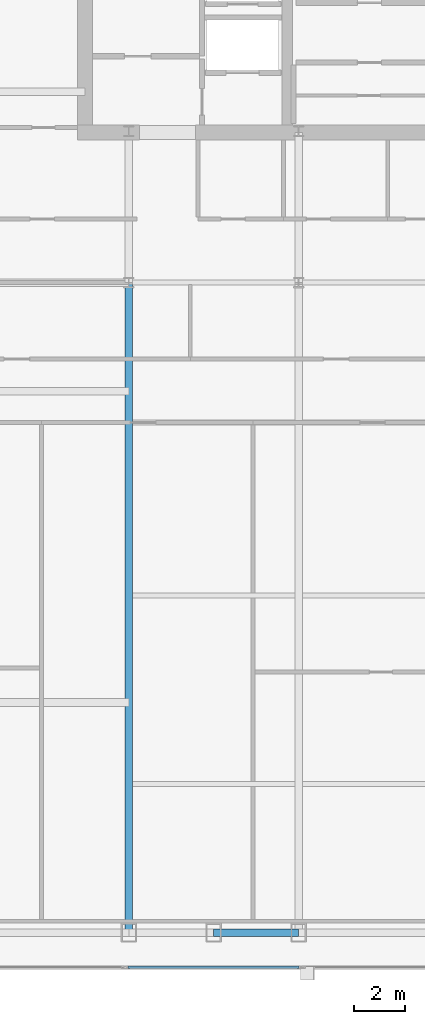
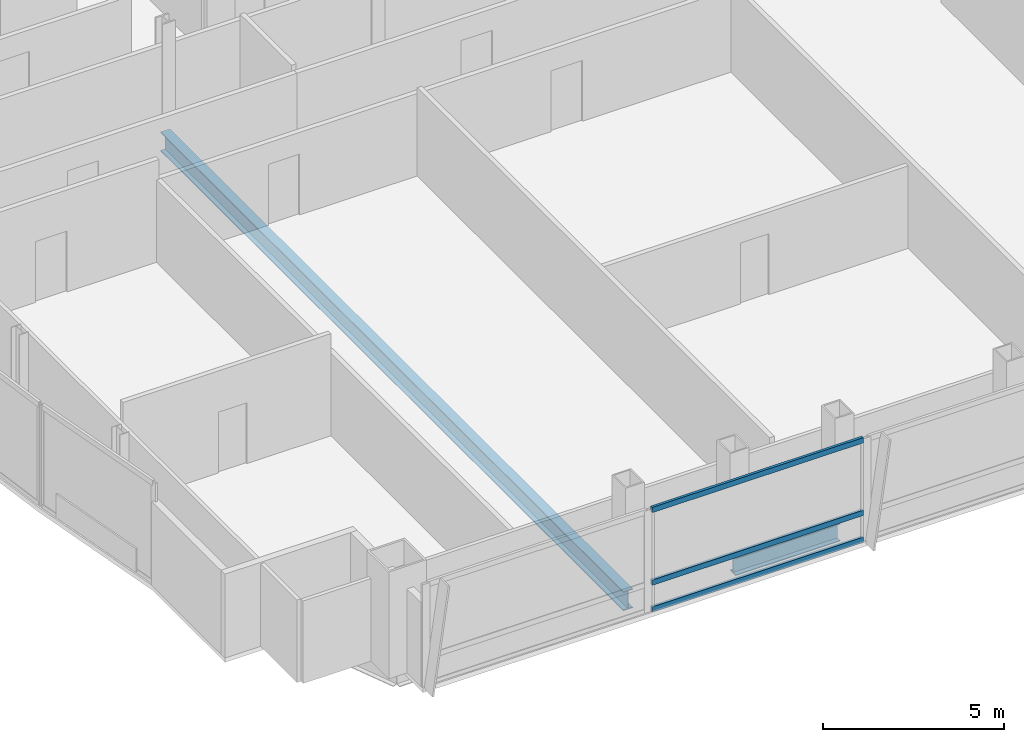
# One storey, part 7 of 30: 3 members, 2 beams, 1 element without a shape of its own.
"""IFC4 building model written with IfcOpenShell, lengths in metres."""

from ifc_helpers import new_model, si_unit, direction, frame, origin, origin_2d, place, context, subcontext, project, spatial, hollow_rectangle, i_section, extrude, material, material_profile, profile_set, type_object, element, aggregate, save


model = new_model("IFC4")

# Units and contexts
model_context = context("Model", 3, precision=1e-05, world=origin(), true_north=direction((0.0, 1.0)))
body_context = subcontext(model_context, "Body", "Model", "MODEL_VIEW")
ifc_project = project(units=[si_unit("LENGTHUNIT", "METRE"), si_unit("AREAUNIT", "SQUARE_METRE"), si_unit("VOLUMEUNIT", "CUBIC_METRE"), si_unit("PLANEANGLEUNIT", "RADIAN"), si_unit("MASSUNIT", "GRAM", prefix="KILO")], contexts=[model_context])

# Site, building, storey
site_placement = place(None, origin())
site = spatial("IfcSite", under=ifc_project, at=site_placement, CompositionType="ELEMENT")
building_placement = place(site_placement, origin())
building = spatial("IfcBuilding", under=site, at=building_placement, Name="Khoronbel Lancet Exchange", CompositionType="ELEMENT")
storey_placement = place(building_placement, frame((0.0, 0.0, 224.60009765625)))
storey = spatial("IfcBuildingStorey", under=building, at=storey_placement, Name="L57", CompositionType="ELEMENT", Elevation=224.60009765625)

# Beams
ifc_material_1 = material(Name="Steel S355", Category="steel")
ifc_material_profile_1 = material_profile(ifc_material_1, i_section(OverallWidth=0.300048828125, OverallDepth=0.64990234375, WebThickness=0.01611328125, FlangeThickness=0.031005859375, at=origin_2d()), Name="HEB 650")
ifc_profile_set_1 = profile_set([ifc_material_profile_1], Name="Steel S355")
beam_type_1 = type_object("IfcBeamType", Name="BM-BG4", PredefinedType="BEAM", material=ifc_profile_set_1)
beam_1_placement = place(storey_placement, frame((18.22509765625, 10.14990234375, -0.485107421875), z_axis=(0.0, 1.0, 0.0), x_axis=(-1.0, 0.0, 0.0)))
element("IfcBeam", 1, at=beam_1_placement, inside=storey, type_object=beam_type_1, Name="Level L57 south primary girder GS1", PredefinedType="BEAM", context=body_context, shape_type="SweptSolid", body=[
    extrude(i_section(OverallWidth=0.300048828125, OverallDepth=0.64990234375, WebThickness=0.01611328125, FlangeThickness=0.031005859375, at=origin_2d()), origin(), (0.0, 0.0, 1.0), 25.550048828125),
])
ifc_material_profile_2 = material_profile(ifc_material_1, i_section(OverallWidth=0.300048828125, OverallDepth=0.60009765625, WebThickness=0.015380859375, FlangeThickness=0.030029296875, at=origin_2d()), Name="HEB 600")
ifc_profile_set_2 = profile_set([ifc_material_profile_2], Name="Steel S355")
beam_type_2 = type_object("IfcBeamType", Name="BM-BSP2", PredefinedType="SPANDREL", material=ifc_profile_set_2)
beam_2_placement = place(storey_placement, frame((21.5625, 10.14990234375, -0.460205078125), z_axis=(1.0, 0.0, 0.0), x_axis=(0.0, 1.0, 0.0)))
element("IfcBeam", 2, at=beam_2_placement, inside=storey, type_object=beam_type_2, Name="Level L57 perimeter spandrel beam SP03", PredefinedType="SPANDREL", context=body_context, shape_type="SweptSolid", body=[
    extrude(i_section(OverallWidth=0.300048828125, OverallDepth=0.60009765625, WebThickness=0.015380859375, FlangeThickness=0.030029296875, at=origin_2d()), origin(), (0.0, 0.0, 1.0), 3.33740234375),
])

# Curtain wall, members
ifc_material_2 = material(Name="Low-E Solar Control Insulating Glass", Category="glass")
curtain_wall_type = type_object("IfcCurtainWallType", Name="CW-3", PredefinedType="NOTDEFINED", material=ifc_material_2)
curtain_wall_placement = place(storey_placement, origin())
curtain_wall = element("IfcCurtainWall", 3, at=curtain_wall_placement, inside=storey, type_object=curtain_wall_type, Name="Unitised curtain wall CW-L57-SWB", PredefinedType="NOTDEFINED")
ifc_material_3 = material(Name="Bronze-Anodised Aluminium 6063-T6", Category="aluminium")
ifc_material_profile_3 = material_profile(ifc_material_3, hollow_rectangle(XDim=0.0849609375, YDim=0.179931640625, WallThickness=0.0048828125, at=origin_2d()), Name="ALU TRANSOM 85x180")
ifc_profile_set_3 = profile_set([ifc_material_profile_3], Name="Bronze-Anodised Aluminium 6063-T6")
member_type = type_object("IfcMemberType", Name="MEM-CWT1", PredefinedType="USERDEFINED", material=ifc_profile_set_3)
member_1_placement = place(storey_placement, frame((18.18505859375, 8.7900390625, 0.04248046875), z_axis=(1.0, 0.0, 0.0), x_axis=(0.0, 1.0, 0.0)))
member_1 = element("IfcMember", 4, at=member_1_placement, type_object=member_type, Name="CW3 transom 1.1", ObjectType="TRANSOM", PredefinedType="USERDEFINED", context=body_context, shape_type="SweptSolid", body=[
    extrude(hollow_rectangle(XDim=0.0849609375, YDim=0.179931640625, WallThickness=0.0048828125, at=origin_2d()), origin(), (0.0, 0.0, 1.0), 6.72998046875),
])
member_2_placement = place(storey_placement, frame((18.18505859375, 8.7900390625, 0.949951171875), z_axis=(1.0, 0.0, 0.0), x_axis=(0.0, 1.0, 0.0)))
member_2 = element("IfcMember", 5, at=member_2_placement, type_object=member_type, Name="CW3 transom 1.2", ObjectType="TRANSOM", PredefinedType="USERDEFINED", context=body_context, shape_type="SweptSolid", body=[
    extrude(hollow_rectangle(XDim=0.0849609375, YDim=0.179931640625, WallThickness=0.0048828125, at=origin_2d()), origin(), (0.0, 0.0, 1.0), 6.72998046875),
])
member_3_placement = place(storey_placement, frame((18.18505859375, 8.7900390625, 3.3974609375), z_axis=(1.0, 0.0, 0.0), x_axis=(0.0, 1.0, 0.0)))
member_3 = element("IfcMember", 6, at=member_3_placement, type_object=member_type, Name="CW3 transom 1.3", ObjectType="TRANSOM", PredefinedType="USERDEFINED", context=body_context, shape_type="SweptSolid", body=[
    extrude(hollow_rectangle(XDim=0.0849609375, YDim=0.179931640625, WallThickness=0.0048828125, at=origin_2d()), origin(), (0.0, 0.0, 1.0), 6.72998046875),
])
aggregate(curtain_wall, [member_1, member_2, member_3])

save(model, "model.ifc")
